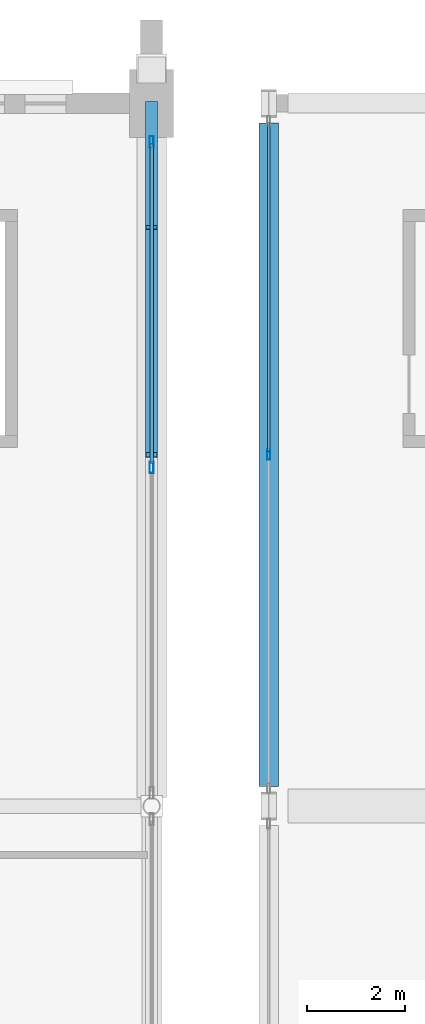
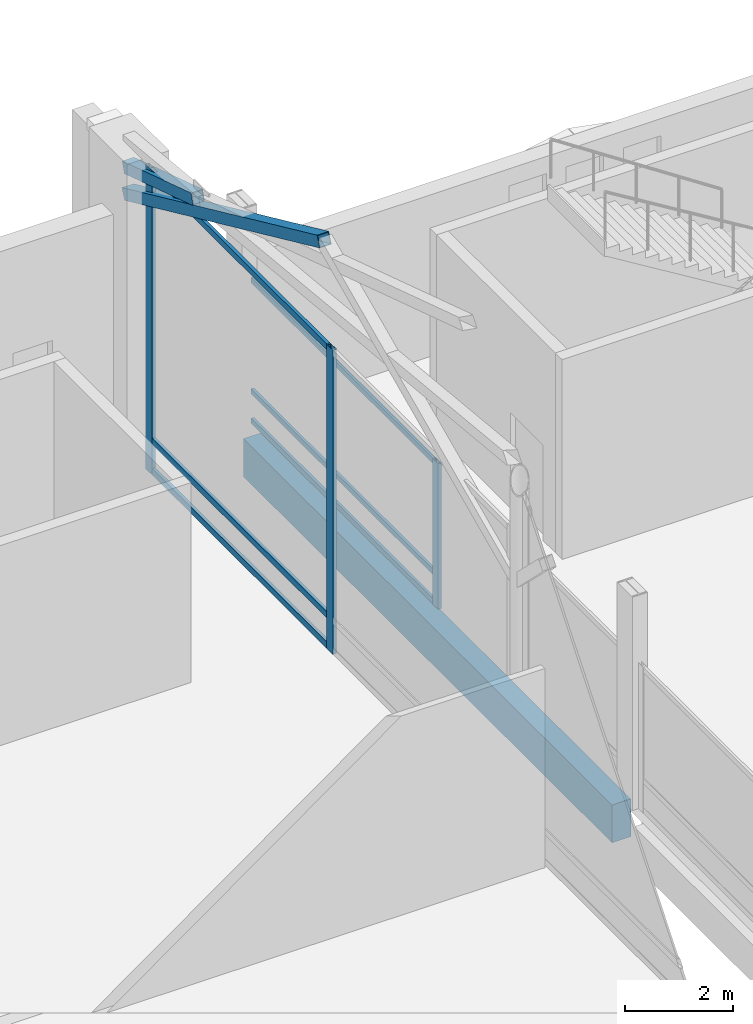
# One storey, part 120 of 220: 11 members, 1 beam, 2 elements without a shape of their own.
"""IFC4 building model written with IfcOpenShell, lengths in metres."""

from ifc_helpers import new_model, si_unit, direction, frame, origin, origin_2d, place, context, subcontext, project, spatial, rectangle, hollow_rectangle, extrude, material, material_profile, profile_set, type_object, element, aggregate, save


model = new_model("IFC4")

# Units and contexts
model_context = context("Model", 3, precision=1e-05, world=origin(), true_north=direction((0.0, 1.0)))
body_context = subcontext(model_context, "Body", "Model", "MODEL_VIEW")
ifc_project = project(units=[si_unit("LENGTHUNIT", "METRE"), si_unit("AREAUNIT", "SQUARE_METRE"), si_unit("VOLUMEUNIT", "CUBIC_METRE"), si_unit("PLANEANGLEUNIT", "RADIAN"), si_unit("MASSUNIT", "GRAM", prefix="KILO")], contexts=[model_context])

# Site, building, storey
site_placement = place(None, origin())
site = spatial("IfcSite", under=ifc_project, at=site_placement, CompositionType="ELEMENT")
building_placement = place(site_placement, origin())
building = spatial("IfcBuilding", under=site, at=building_placement, Name="Cendralis Lancet Convention Centre", CompositionType="ELEMENT")
storey_placement = place(building_placement, frame((0.0, 0.0, 5.39990234375)))
storey = spatial("IfcBuildingStorey", under=building, at=storey_placement, Name="L01", CompositionType="ELEMENT", Elevation=5.39990234375)

# Curtain wall, member
ifc_material_1 = material(Name="Anodised bronze architectural aluminium", Category="aluminium")
curtain_wall_type_1 = type_object("IfcCurtainWallType", Name="ARC-CW-BL01", PredefinedType="USERDEFINED", material=ifc_material_1)
curtain_wall_1_placement = place(storey_placement, origin())
curtain_wall_1 = element("IfcCurtainWall", 1, at=curtain_wall_1_placement, inside=storey, type_object=curtain_wall_type_1, Name="L01 Curtain Wall CW-BL1 #151", ObjectType="CURTAIN WALL", PredefinedType="USERDEFINED")
ifc_material_profile_1 = material_profile(ifc_material_1, hollow_rectangle(XDim=0.070068359375, YDim=0.199951171875, WallThickness=0.0048828125, at=origin_2d()), Name="AL-MULL 70x200x5.0")
ifc_profile_set_1 = profile_set([ifc_material_profile_1], Name="Anodised bronze architectural aluminium")
member_type_1 = type_object("IfcMemberType", Name="ARC-CW-ML02", PredefinedType="MULLION", material=ifc_profile_set_1)
member_1_placement = place(storey_placement, frame((124.800048828125, 129.60009765625, 0.0), z_axis=(0.0, 0.0, 1.0), x_axis=(1.0, 0.0, 0.0)))
member_1 = element("IfcMember", 2, at=member_1_placement, type_object=member_type_1, Name="Mullion CW2-CW-BL1-L01-151-M1", PredefinedType="MULLION", context=body_context, shape_type="SweptSolid", body=[
    extrude(hollow_rectangle(XDim=0.070068359375, YDim=0.199951171875, WallThickness=0.0048828125, at=origin_2d()), origin(), (0.0, 0.0, 1.0), 3.28515625),
])

# Curtain wall, members
curtain_wall_type_2 = type_object("IfcCurtainWallType", Name="ARC-CW-GB02", PredefinedType="USERDEFINED", material=ifc_material_1)
curtain_wall_2_placement = place(storey_placement, origin())
curtain_wall_2 = element("IfcCurtainWall", 3, at=curtain_wall_2_placement, inside=storey, type_object=curtain_wall_type_2, Name="L01 Curtain Wall CW-GB2 #109", ObjectType="CURTAIN WALL", PredefinedType="USERDEFINED")
ifc_material_profile_2 = material_profile(ifc_material_1, hollow_rectangle(XDim=0.080078125, YDim=0.239990234375, WallThickness=0.0048828125, at=origin_2d()), Name="AL-MULL 80x240x5.0")
ifc_profile_set_2 = profile_set([ifc_material_profile_2], Name="Anodised bronze architectural aluminium")
member_type_2 = type_object("IfcMemberType", Name="ARC-CW-ML03", PredefinedType="MULLION", material=ifc_profile_set_2)
member_2_placement = place(storey_placement, frame((122.39990234375, 136.010009765625, 0.0), z_axis=(0.0, 0.0, 1.0), x_axis=(1.0, 0.0, 0.0)))
member_2 = element("IfcMember", 4, at=member_2_placement, type_object=member_type_2, Name="Mullion CW2-CW-GB2-L01-109-M0", PredefinedType="MULLION", context=body_context, shape_type="SweptSolid", body=[
    extrude(hollow_rectangle(XDim=0.080078125, YDim=0.239990234375, WallThickness=0.0048828125, at=origin_2d()), origin(), (0.0, 0.0, 1.0), 6.85009765625),
])
member_3_placement = place(storey_placement, frame((122.39990234375, 129.3388671875, 0.0), z_axis=(0.0, 0.0, 1.0), x_axis=(1.0, 0.0, 0.0)))
member_3 = element("IfcMember", 5, at=member_3_placement, type_object=member_type_2, Name="Mullion CW2-CW-GB2-L01-109-M1", PredefinedType="MULLION", context=body_context, shape_type="SweptSolid", body=[
    extrude(hollow_rectangle(XDim=0.080078125, YDim=0.239990234375, WallThickness=0.0048828125, at=origin_2d()), origin(), (0.0, 0.0, 1.0), 6.85009765625),
])

# Member
ifc_material_profile_3 = material_profile(ifc_material_1, hollow_rectangle(XDim=0.06005859375, YDim=0.1201171875, WallThickness=0.00390625, at=origin_2d()), Name="AL-TRAN 60x120x4.0")
ifc_profile_set_3 = profile_set([ifc_material_profile_3], Name="Anodised bronze architectural aluminium")
member_type_3 = type_object("IfcMemberType", Name="ARC-CW-TR01", PredefinedType="USERDEFINED", material=ifc_profile_set_3)
member_4_placement = place(storey_placement, frame((124.800048828125, 129.669921875, 0.06005859375), z_axis=(0.0, 1.0, 0.0), x_axis=(-1.0, 0.0, 0.0)))
member_4 = element("IfcMember", 6, at=member_4_placement, type_object=member_type_3, Name="Transom CW2-CW-BL1-L01-151-T1BOT", ObjectType="TRANSOM", PredefinedType="USERDEFINED", context=body_context, shape_type="SweptSolid", body=[
    extrude(hollow_rectangle(XDim=0.06005859375, YDim=0.1201171875, WallThickness=0.00390625, at=origin_2d()), origin(), (0.0, 0.0, 1.0), 6.735107421875),
])

member_5_placement = place(storey_placement, frame((124.800048828125, 129.669921875, 0.722900390625), z_axis=(0.0, 1.0, 0.0), x_axis=(-1.0, 0.0, 0.0)))
member_5 = element("IfcMember", 7, at=member_5_placement, type_object=member_type_3, Name="Transom CW2-CW-BL1-L01-151-T1MID", ObjectType="TRANSOM", PredefinedType="USERDEFINED", context=body_context, shape_type="SweptSolid", body=[
    extrude(hollow_rectangle(XDim=0.06005859375, YDim=0.1201171875, WallThickness=0.00390625, at=origin_2d()), origin(), (0.0, 0.0, 1.0), 6.735107421875),
])

member_6_placement = place(storey_placement, frame((124.800048828125, 129.669921875, 3.22509765625), z_axis=(0.0, 1.0, 0.0), x_axis=(-1.0, 0.0, 0.0)))
member_6 = element("IfcMember", 8, at=member_6_placement, type_object=member_type_3, Name="Transom CW2-CW-BL1-L01-151-T1TOP", ObjectType="TRANSOM", PredefinedType="USERDEFINED", context=body_context, shape_type="SweptSolid", body=[
    extrude(hollow_rectangle(XDim=0.06005859375, YDim=0.1201171875, WallThickness=0.00390625, at=origin_2d()), origin(), (0.0, 0.0, 1.0), 6.735107421875),
])

aggregate(curtain_wall_1, [member_1, member_4, member_5, member_6])

ifc_material_profile_4 = material_profile(ifc_material_1, hollow_rectangle(XDim=0.070068359375, YDim=0.139892578125, WallThickness=0.00390625, at=origin_2d()), Name="AL-TRAN 70x140x4.0")
ifc_profile_set_4 = profile_set([ifc_material_profile_4], Name="Anodised bronze architectural aluminium")
member_type_4 = type_object("IfcMemberType", Name="ARC-CW-TR02", PredefinedType="USERDEFINED", material=ifc_profile_set_4)
member_7_placement = place(storey_placement, frame((122.39990234375, 135.969970703125, 0.070068359375), z_axis=(0.0, -1.0, 0.0), x_axis=(1.0, 0.0, 0.0)))
member_7 = element("IfcMember", 9, at=member_7_placement, type_object=member_type_4, Name="Transom CW2-CW-GB2-L01-109-T0BOT", ObjectType="TRANSOM", PredefinedType="USERDEFINED", context=body_context, shape_type="SweptSolid", body=[
    extrude(hollow_rectangle(XDim=0.070068359375, YDim=0.139892578125, WallThickness=0.00390625, at=origin_2d()), origin(), (0.0, 0.0, 1.0), 6.551025390625),
])

member_8_placement = place(storey_placement, frame((122.39990234375, 135.969970703125, 0.75), z_axis=(0.0, -1.0, 0.0), x_axis=(1.0, 0.0, 0.0)))
member_8 = element("IfcMember", 10, at=member_8_placement, type_object=member_type_4, Name="Transom CW2-CW-GB2-L01-109-T0MID", ObjectType="TRANSOM", PredefinedType="USERDEFINED", context=body_context, shape_type="SweptSolid", body=[
    extrude(hollow_rectangle(XDim=0.070068359375, YDim=0.139892578125, WallThickness=0.00390625, at=origin_2d()), origin(), (0.0, 0.0, 1.0), 6.551025390625),
])

member_9_placement = place(storey_placement, frame((122.39990234375, 135.969970703125, 6.780029296875), z_axis=(0.0, -1.0, 0.0), x_axis=(1.0, 0.0, 0.0)))
member_9 = element("IfcMember", 11, at=member_9_placement, type_object=member_type_4, Name="Transom CW2-CW-GB2-L01-109-T0TOP", ObjectType="TRANSOM", PredefinedType="USERDEFINED", context=body_context, shape_type="SweptSolid", body=[
    extrude(hollow_rectangle(XDim=0.070068359375, YDim=0.139892578125, WallThickness=0.00390625, at=origin_2d()), origin(), (0.0, 0.0, 1.0), 6.551025390625),
])

aggregate(curtain_wall_2, [member_2, member_3, member_7, member_8, member_9])

# Members
ifc_material_2 = material(Name="Steel S355", Category="steel")
ifc_material_profile_5 = material_profile(ifc_material_2, hollow_rectangle(XDim=0.25, YDim=0.25, WallThickness=0.012451171875, at=origin_2d()), Name="SHS 250x250x12.5")
ifc_profile_set_5 = profile_set([ifc_material_profile_5], Name="Steel S355")
member_type_5 = type_object("IfcMemberType", Name="STR-BR-GB01", PredefinedType="BRACE", material=ifc_profile_set_5)
member_10_placement = place(storey_placement, frame((122.39990234375, 136.800048828125, 5.800048828125), z_axis=(0.0, -0.909353179185, 0.416024993848), x_axis=(1.0, 0.0, 0.0)))
element("IfcMember", 12, at=member_10_placement, inside=storey, type_object=member_type_5, Name="Exhibition Gable Gothic Ogival Tracery Rib GBR1 #057", PredefinedType="BRACE", context=body_context, shape_type="SweptSolid", body=[
    extrude(hollow_rectangle(XDim=0.25, YDim=0.25, WallThickness=0.012451171875, at=origin_2d()), origin(), (0.0, 0.0, 1.0), 7.917724609375),
])
member_11_placement = place(storey_placement, frame((122.39990234375, 136.800048828125, 6.400146484375), z_axis=(0.0, -0.951604282907, 0.307326030061), x_axis=(1.0, 0.0, 0.0)))
element("IfcMember", 13, at=member_11_placement, inside=storey, type_object=member_type_5, Name="Exhibition Gable Split X-Brace Rib GBR1 #059", PredefinedType="BRACE", context=body_context, shape_type="SweptSolid", body=[
    extrude(hollow_rectangle(XDim=0.25, YDim=0.25, WallThickness=0.012451171875, at=origin_2d()), origin(), (0.0, 0.0, 1.0), 2.669921875),
])

# Beam
ifc_material_3 = material(Name="Concrete G40 (C40/50)", Category="concrete")
ifc_material_profile_6 = material_profile(ifc_material_3, rectangle(XDim=0.39990234375, YDim=0.85009765625, at=origin_2d()), Name="RCB 400x850")
ifc_profile_set_6 = profile_set([ifc_material_profile_6], Name="Concrete G40 (C40/50)")
beam_type = type_object("IfcBeamType", Name="STR-SP-SP02", PredefinedType="SPANDREL", material=ifc_profile_set_6)
beam_placement = place(storey_placement, frame((124.800048828125, 122.800048828125, -0.704833984375), z_axis=(0.0, 1.0, 0.0), x_axis=(-1.0, 0.0, 0.0)))
element("IfcBeam", 14, at=beam_placement, inside=storey, type_object=beam_type, Name="L01 Beam SP02 #1665", PredefinedType="SPANDREL", context=body_context, shape_type="SweptSolid", body=[
    extrude(rectangle(XDim=0.39990234375, YDim=0.85009765625, at=origin_2d()), origin(), (0.0, 0.0, 1.0), 13.599853515625),
])

save(model, "model.ifc")
